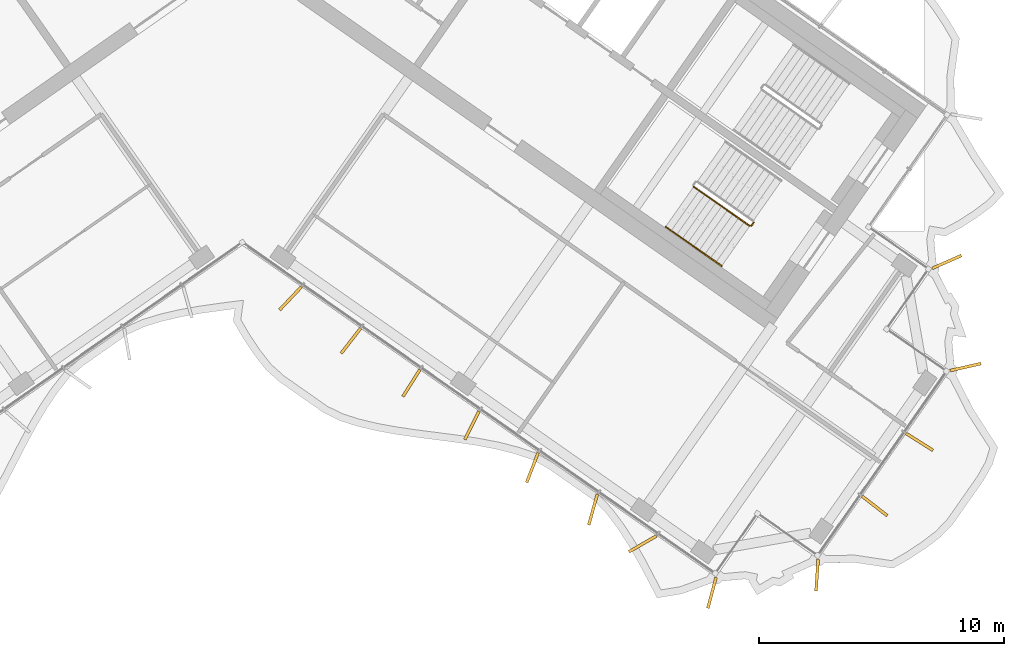
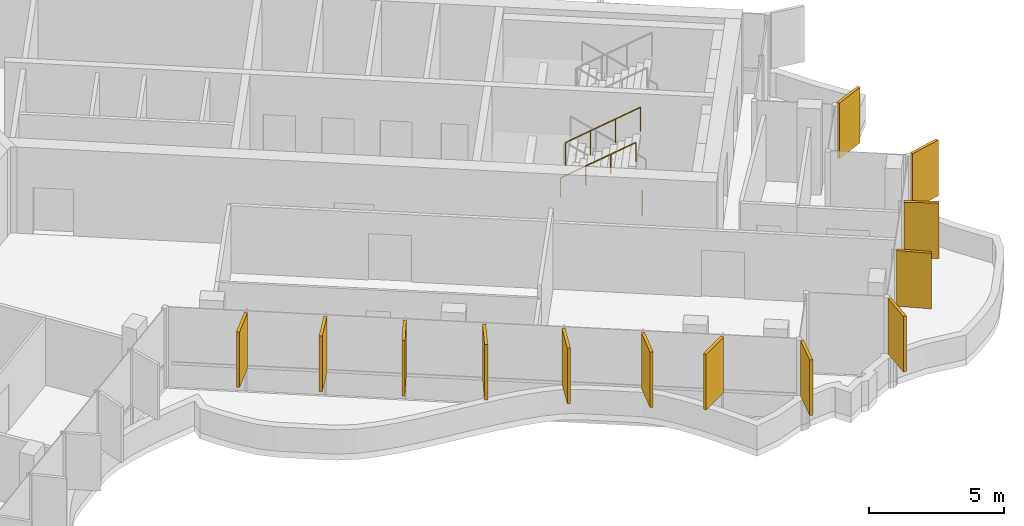
# One storey, part 16 of 18: 13 shading devices, 3 railings.
"""IFC4 building model written with IfcOpenShell, lengths in metres."""

from ifc_helpers import new_model, si_unit, direction, frame, origin, origin_2d, place, context, subcontext, project, spatial, rectangle, circle, extrude, material, layer, layer_set, type_object, element, save


model = new_model("IFC4")

# Units and contexts
model_context = context("Model", 3, precision=1e-05, world=origin(), true_north=direction((0.0, 1.0)))
body_context = subcontext(model_context, "Body", "Model", "MODEL_VIEW")
ifc_project = project(units=[si_unit("LENGTHUNIT", "METRE"), si_unit("AREAUNIT", "SQUARE_METRE"), si_unit("VOLUMEUNIT", "CUBIC_METRE"), si_unit("PLANEANGLEUNIT", "RADIAN"), si_unit("MASSUNIT", "GRAM", prefix="KILO")], contexts=[model_context])

# Site, building, storey
site_placement = place(None, origin())
site = spatial("IfcSite", under=ifc_project, at=site_placement, CompositionType="ELEMENT")
building_placement = place(site_placement, origin())
building = spatial("IfcBuilding", under=site, at=building_placement, Name="Tel Ilan Convention Tower", CompositionType="ELEMENT")
storey_placement = place(building_placement, frame((0.0, 0.0, 303.39990234375)))
storey = spatial("IfcBuildingStorey", under=building, at=storey_placement, Name="L72", CompositionType="ELEMENT", Elevation=303.39990234375)

# Shading devices
ifc_material_1 = material(Name="Aluminium, bronze anodised", Category="aluminium")
ifc_layer = layer(ifc_material_1, 0.1201171875)
ifc_layer_set = layer_set([ifc_layer], Name="FIN BRONZE 1300x120")
shading_device_type = type_object("IfcShadingDeviceType", Name="FIN BRONZE 1300x120", PredefinedType="USERDEFINED", material=ifc_layer_set)
for number, where, z_axis, x_axis, name in (
    (1, (1.970703125, -14.9931640625, 1.10009765625), (0.0, 0.0, 1.0), (-0.686241637865, -0.727373641577, 0.0), "FIN"),
    (2, (4.443115234375, -16.724853515625, 1.10009765625), (0.0, 0.0, 1.0), (-0.612600545196, -0.790392669516, 0.0), "FIN"),
    (3, (6.916259765625, -18.45654296875, 1.10009765625), (0.0, 0.0, 1.0), (-0.533204432798, -0.845986425922, 0.0), "FIN"),
    (4, (9.38916015625, -20.187744140625, 1.10009765625), (0.0, 0.0, 1.0), (-0.448799180206, -0.893632640321, 0.0), "FIN"),
    (5, (11.864990234375, -21.913330078125, 1.10009765625), (0.0, 0.0, 1.0), (-0.360177724803, -0.932883704733, 0.0), "FIN"),
    (6, (14.3427734375, -23.633056640625, 1.10009765625), (0.0, 0.0, 1.0), (-0.268172612768, -0.963370878614, 0.0), "FIN"),
    (7, (16.37255859375, -25.03173828125, 1.10009765625), (0.0, 0.0, 1.0), (-0.866025403784, -0.5, 0.0), "FIN"),
    (8, (19.207275390625, -27.0341796875, 1.10009765625), (0.0, 0.0, 1.0), (-0.258819045103, -0.965925826289, 0.0), "FIN"),
    (9, (23.507568359375, -26.307373046875, 1.10009765625), (0.0, 0.0, 1.0), (-0.067821812994, -0.997697449973, 0.0), "FIN"),
    (10, (25.8623046875, -23.47802734375, 1.10009765625), (0.0, 0.0, 1.0), (0.790392669516, -0.612600545196, 0.0), "FIN"),
    (11, (27.695556640625, -20.85986328125, 1.10009765625), (0.0, 0.0, 1.0), (0.845986425922, -0.533204432798, 0.0), "FIN"),
    (12, (29.5771484375, -17.801025390625, 1.10009765625), (0.0, 0.0, 1.0), (0.975235208752, 0.221170268371, 0.0), "FIN"),
    (13, (28.812255859375, -13.50146484375, 1.10009765625), (0.0, 0.0, 1.0), (0.914332505315, 0.404964282034, 0.0), "FIN"),
):
    element("IfcShadingDevice", number, at=place(storey_placement, frame(where, z_axis=z_axis, x_axis=x_axis)), inside=storey, type_object=shading_device_type, Name=name, ObjectType="FIN", PredefinedType="USERDEFINED", context=body_context, shape_type="SweptSolid", body=[
        extrude(rectangle(XDim=1.300048828125, YDim=0.1201171875, at=origin_2d()), origin(), (0.0, 0.0, 1.0), 2.52001953125),
    ])

# Railings
ifc_material_2 = material(Name="Stainless Steel Grade 316", Category="steel")
railing_type_1 = type_object("IfcRailingType", Name="Stainless Steel Stair Guard 1100 mm", PredefinedType="GUARDRAIL", material=ifc_material_2)
railing_1_placement = place(storey_placement, frame((18.4599609375, -10.423095703125, 2.12744140625)))
element("IfcRailing", 14, at=railing_1_placement, inside=storey, type_object=railing_type_1, Name="L72 S4 stair guard 3", PredefinedType="GUARDRAIL", context=body_context, shape_type="SweptSolid", body=[
    extrude(circle(Radius=0.02392578125, at=origin_2d()), frame((0.0, 0.0, 1.076171875), z_axis=(0.692098378994, -0.484653031975, 0.534893701956), x_axis=(0.573608623498, 0.819129505664, 0.0)), (0.0, 0.0, 1.0), 3.314208984375),
    extrude(circle(Radius=0.02099609375, at=origin_2d()), origin(), (0.0, 0.0, 1.0), 1.052001953125),
    extrude(circle(Radius=0.02099609375, at=origin_2d()), frame((0.7646484375, -0.535400390625, 0.5908203125)), (0.0, 0.0, 1.0), 1.052001953125),
    extrude(circle(Radius=0.02099609375, at=origin_2d()), frame((1.529052734375, -1.07080078125, 1.181884765625)), (0.0, 0.0, 1.0), 1.052001953125),
    extrude(circle(Radius=0.02099609375, at=origin_2d()), frame((2.293701171875, -1.606201171875, 1.772705078125)), (0.0, 0.0, 1.0), 1.052001953125),
])
railing_2_placement = place(storey_placement, frame((20.9091796875, -11.89404296875, 0.0)))
element("IfcRailing", 15, at=railing_2_placement, inside=storey, type_object=railing_type_1, Name="L72 S4 stair guard 4", PredefinedType="GUARDRAIL", context=body_context, shape_type="SweptSolid", body=[
    extrude(circle(Radius=0.02392578125, at=origin_2d()), frame((0.0, 0.0, 1.076171875), z_axis=(-0.573353020881, -0.819308436089, 0.0), x_axis=(0.819308436089, -0.573353020881, 0.0)), (0.0, 0.0, 1.0), 0.14990234375),
    extrude(circle(Radius=0.02099609375, at=origin_2d()), origin(), (0.0, 0.0, 1.0), 1.052001953125),
    extrude(circle(Radius=0.02099609375, at=origin_2d()), frame((-0.0859375, -0.122802734375, 0.0)), (0.0, 0.0, 1.0), 1.052001953125),
])
ifc_material_3 = material(Name="Stainless Steel Grade 316", Category="steel")
railing_type_2 = type_object("IfcRailingType", Name="Stainless Steel Stair Handrail 900 mm", PredefinedType="HANDRAIL", material=ifc_material_3)
railing_3_placement = place(storey_placement, frame((17.312744140625, -12.0615234375, 2.12744140625)))
element("IfcRailing", 16, at=railing_3_placement, inside=storey, type_object=railing_type_2, Name="L72 S4 stair handrail 2", PredefinedType="HANDRAIL", context=body_context, shape_type="SweptSolid", body=[
    extrude(circle(Radius=0.02392578125, at=origin_2d()), frame((0.0, 0.0, 0.8759765625), z_axis=(0.692123088272, -0.484596665743, 0.534912798717), x_axis=(0.573550118428, 0.819170471667, 0.0)), (0.0, 0.0, 1.0), 3.31396484375),
    extrude(circle(Radius=0.02099609375, at=origin_2d()), origin(), (0.0, 0.0, 1.0), 0.851806640625),
    extrude(circle(Radius=0.02099609375, at=origin_2d()), frame((0.7646484375, -0.535400390625, 0.5908203125)), (0.0, 0.0, 1.0), 0.851806640625),
    extrude(circle(Radius=0.02099609375, at=origin_2d()), frame((1.529052734375, -1.070556640625, 1.181884765625)), (0.0, 0.0, 1.0), 0.851806640625),
    extrude(circle(Radius=0.02099609375, at=origin_2d()), frame((2.293701171875, -1.60595703125, 1.772705078125)), (0.0, 0.0, 1.0), 0.851806640625),
])

save(model, "model.ifc")
